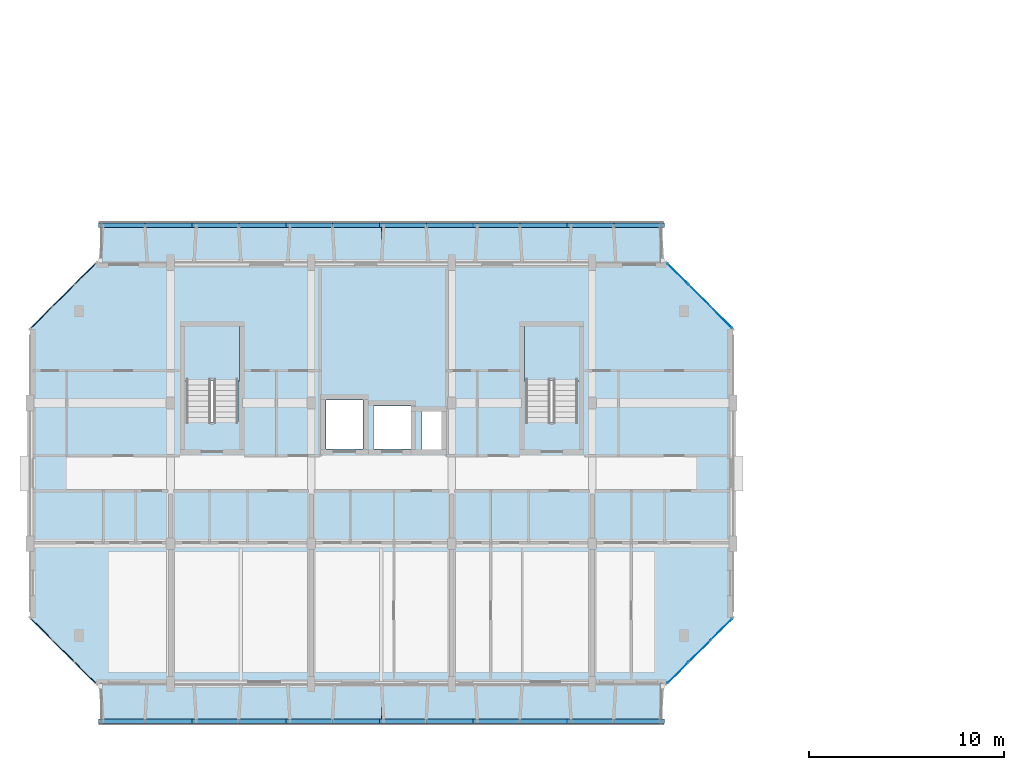
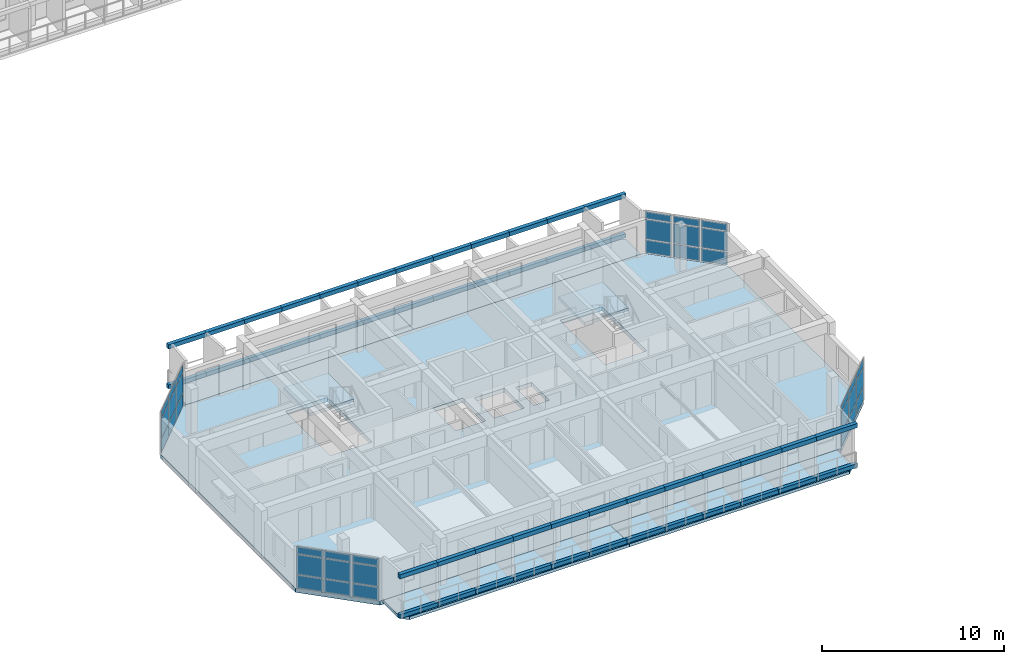
# One storey, part 11 of 45: 84 plates, 7 slabs, 6 elements without a shape of their own.
"""IFC4 building model written with IfcOpenShell, lengths in metres."""

import ifcopenshell
import ifcopenshell.guid

model = None  # the IFC model being written
_history = None  # IfcOwnerHistory: only IFC2X3 demands one
_inside = {}  # id of a spatial element -> (the spatial element, [elements in it])
_under = {}  # id of a project, library or spatial element -> (it, [spatial elements below it])
_declared = {}  # id of a project -> (the project, [libraries it declares])
_typed = {}  # id of a type object -> (the type object, [elements of that type])
_made_of = {}  # id of a material, layer set ... -> (it, [elements and type objects made of it])


def new_model(schema):
    """Start an empty IFC model of exactly this schema.

    Asked for "IFC4X3", IfcOpenShell would pick the latest addendum, in which some entities
    have other attributes; the version numbers below select the first issue.
    IFC2X3 requires an IfcOwnerHistory on every rooted entity: one is made here for all.
    """
    global model, _history
    if schema == "IFC4X3":
        model = ifcopenshell.file(schema_version=(4, 3, 0, 0))
    else:
        model = ifcopenshell.file(schema=schema)
    _inside.clear()
    _under.clear()
    _declared.clear()
    _typed.clear()
    _made_of.clear()
    _history = None
    if model.schema == "IFC2X3":
        org = make("IfcOrganization", Name="unknown")
        user = make(
            "IfcPersonAndOrganization",
            ThePerson=make("IfcPerson", FamilyName="unknown"),
            TheOrganization=org,
        )
        app = make(
            "IfcApplication",
            ApplicationDeveloper=org,
            Version="unknown",
            ApplicationFullName="unknown",
            ApplicationIdentifier="unknown",
        )
        _history = make(
            "IfcOwnerHistory",
            OwningUser=user,
            OwningApplication=app,
            ChangeAction="ADDED",
            CreationDate=0,
        )
    return model


def make(cls, **values):
    """One entity of the class cls with the attributes given. An attribute that is None is left unset."""
    return model.create_entity(
        cls, **{name: value for name, value in values.items() if value is not None}
    )


def rooted(cls, **values):
    """An entity with a GlobalId (a new one), such as an element, a storey or a relation."""
    return make(cls, GlobalId=ifcopenshell.guid.new(), OwnerHistory=_history, **values)


def si_unit(unit_type, name, prefix=None):
    """IfcSIUnit, for example si_unit("LENGTHUNIT", "METRE", prefix="MILLI")."""
    return make("IfcSIUnit", UnitType=unit_type, Prefix=prefix, Name=name)


def assignment(units):
    """IfcUnitAssignment: the units of a project."""
    return None if units is None else make("IfcUnitAssignment", Units=units)


def point(xyz):
    """IfcCartesianPoint."""
    return None if xyz is None else make("IfcCartesianPoint", Coordinates=xyz)


def direction(xyz):
    """IfcDirection."""
    return None if xyz is None else make("IfcDirection", DirectionRatios=xyz)


def frame(location, z_axis=None, x_axis=None):
    """IfcAxis2Placement3D, a coordinate frame: its origin and axes. An axis left out is left unset."""
    return make(
        "IfcAxis2Placement3D",
        Location=point(location),
        Axis=direction(z_axis),
        RefDirection=direction(x_axis),
    )


def frame_2d(location, x_axis=None):
    """IfcAxis2Placement2D, a coordinate frame in the plane: its origin and x axis."""
    return make(
        "IfcAxis2Placement2D", Location=point(location), RefDirection=direction(x_axis)
    )


def origin():
    """The frame at (0, 0, 0) with its axes left unset."""
    return frame((0.0, 0.0, 0.0))


def origin_2d():
    """The frame at (0, 0) in the plane with its x axis left unset."""
    return frame_2d((0.0, 0.0))


def place(relative_to, where):
    """IfcLocalPlacement: puts the frame where relative to a parent placement (None: the world)."""
    return make(
        "IfcLocalPlacement", PlacementRelTo=relative_to, RelativePlacement=where
    )


def context(
    kind, dimensions, precision=None, world=None, true_north=None, identifier=None
):
    """IfcGeometricRepresentationContext, for example the 3D "Model" context."""
    return make(
        "IfcGeometricRepresentationContext",
        ContextIdentifier=identifier,
        ContextType=kind,
        CoordinateSpaceDimension=dimensions,
        Precision=precision,
        WorldCoordinateSystem=world,
        TrueNorth=true_north,
    )


def subcontext(parent, identifier, kind, view, scale=None):
    """IfcGeometricRepresentationSubContext, for example "Body" below "Model"."""
    return make(
        "IfcGeometricRepresentationSubContext",
        ContextIdentifier=identifier,
        ContextType=kind,
        ParentContext=parent,
        TargetScale=scale,
        TargetView=view,
    )


def project(units=None, contexts=None):
    """IfcProject with its units and contexts."""
    return rooted(
        "IfcProject",
        Name="project",
        RepresentationContexts=contexts,
        UnitsInContext=assignment(units),
    )


def spatial(cls, under=None, at=None, **own):
    """A site, building, storey or space (cls), placed at a placement, below another one or the project."""
    s = rooted(cls, ObjectPlacement=at, **own)
    if under is not None:
        _under.setdefault(under.id(), (under, []))[1].append(s)
    return s


def polyline(points):
    """IfcPolyline through the points."""
    return make("IfcPolyline", Points=[point(p) for p in points])


def profile(cls, at=None, kind="AREA", **sizes):
    """A parametric profile (cls). Its sizes go by their IFC names, for example OverallWidth=200.0."""
    return make(cls, ProfileType=kind, Position=at, **sizes)


def rectangle(**sizes):
    """IfcRectangleProfileDef."""
    return profile("IfcRectangleProfileDef", **sizes)


def outline(outer, holes=None, kind="AREA"):
    """IfcArbitraryClosedProfileDef: a profile drawn as a closed curve; with holes, ...WithVoids."""
    if holes is None:
        return make("IfcArbitraryClosedProfileDef", ProfileType=kind, OuterCurve=outer)
    return make(
        "IfcArbitraryProfileDefWithVoids",
        ProfileType=kind,
        OuterCurve=outer,
        InnerCurves=holes,
    )


def extrude(swept, where, along, depth):
    """IfcExtrudedAreaSolid: the profile swept, set in the frame where, extruded along a direction by depth."""
    return make(
        "IfcExtrudedAreaSolid",
        SweptArea=swept,
        Position=where,
        ExtrudedDirection=direction(along),
        Depth=depth,
    )


def shape(context_of_items, identifier, shape_type, items):
    """IfcShapeRepresentation: the items that make up one representation, for example the "Body"."""
    return make(
        "IfcShapeRepresentation",
        ContextOfItems=context_of_items,
        RepresentationIdentifier=identifier,
        RepresentationType=shape_type,
        Items=items,
    )


def material(Name=None, Category=None):
    """IfcMaterial."""
    return make("IfcMaterial", Name=Name, Category=Category)


def layer(
    of_material, thickness, ventilated=None, Name=None, Category=None, Priority=None
):
    """IfcMaterialLayer: one layer of a wall or slab, of a material (None: an air gap)."""
    return make(
        "IfcMaterialLayer",
        Material=of_material,
        LayerThickness=thickness,
        IsVentilated=ventilated,
        Name=Name,
        Category=Category,
        Priority=Priority,
    )


def layer_set(layers, Name=None):
    """IfcMaterialLayerSet."""
    return make("IfcMaterialLayerSet", MaterialLayers=layers, LayerSetName=Name)


def made_of(thing, what):
    """Note that an element or type object is made of a material, layer set ...; save() writes the relation."""
    if what is not None:
        _made_of.setdefault(what.id(), (what, []))[1].append(thing)
    return thing


def type_object(cls, material=None, **own):
    """A type object (cls), such as IfcWallType, which elements share."""
    return made_of(rooted(cls, **own), material)


def element(
    cls,
    number,
    at=None,
    inside=None,
    cuts=None,
    type_object=None,
    material=None,
    context=None,
    identifier="Body",
    shape_type=None,
    held_by="IfcProductDefinitionShape",
    body=None,
    shapes=None,
    **own,
):
    """One element of the class cls, such as IfcWall. Its Tag is "e" and its number.

    at: its placement. inside: the storey or other place that contains it. cuts: it is an
    opening in that element (IfcRelVoidsElement). A single representation is given by context,
    identifier, shape_type and body (its items); several are given by shapes. held_by: the class
    of the entity that holds the representations. save() writes the other relations.
    """
    e = rooted(cls, Tag="e%d" % number, ObjectPlacement=at, **own)
    if body is not None:
        shapes = [shape(context, identifier, shape_type, body)]
    if shapes is not None:
        e.Representation = make(held_by, Representations=shapes)
    if inside is not None:
        _inside.setdefault(inside.id(), (inside, []))[1].append(e)
    if cuts is not None:
        rooted(
            "IfcRelVoidsElement", RelatingBuildingElement=cuts, RelatedOpeningElement=e
        )
    if type_object is not None:
        _typed.setdefault(type_object.id(), (type_object, []))[1].append(e)
    return made_of(e, material)


def aggregate(whole, parts):
    """IfcRelAggregates: a whole, such as a stair, and the parts it consists of."""
    return rooted("IfcRelAggregates", RelatingObject=whole, RelatedObjects=parts)


def save(model, path):
    """Write the relations noted so far, then the file.

    IfcRelAggregates (storeys below a building ...), IfcRelContainedInSpatialStructure (elements
    in a storey), IfcRelDefinesByType, IfcRelAssociatesMaterial and IfcRelDeclares: one each for
    every whole, place, type object, material and project.
    """
    for whole, parts in _under.values():
        aggregate(whole, parts)
    for where, things in _inside.values():
        rooted(
            "IfcRelContainedInSpatialStructure",
            RelatedElements=things,
            RelatingStructure=where,
        )
    for kind, things in _typed.values():
        rooted("IfcRelDefinesByType", RelatedObjects=things, RelatingType=kind)
    for what, things in _made_of.values():
        rooted("IfcRelAssociatesMaterial", RelatedObjects=things, RelatingMaterial=what)
    for by, libraries in _declared.values():
        rooted("IfcRelDeclares", RelatingContext=by, RelatedDefinitions=libraries)
    model.write(path)


model = new_model("IFC4")

# Units and contexts
model_context = context("Model", 3, precision=1e-05, world=origin(), true_north=direction((0.0, 1.0)))
body_context = subcontext(model_context, "Body", "Model", "MODEL_VIEW")
ifc_project = project(units=[si_unit("LENGTHUNIT", "METRE"), si_unit("AREAUNIT", "SQUARE_METRE"), si_unit("VOLUMEUNIT", "CUBIC_METRE"), si_unit("PLANEANGLEUNIT", "RADIAN"), si_unit("MASSUNIT", "GRAM", prefix="KILO")], contexts=[model_context])

# Site, building, storey
site_placement = place(None, origin())
site = spatial("IfcSite", under=ifc_project, at=site_placement, CompositionType="ELEMENT")
building_placement = place(site_placement, origin())
building = spatial("IfcBuilding", under=site, at=building_placement, Name="Ochrevale Crest", CompositionType="ELEMENT")
storey_placement = place(building_placement, frame((0.0, 0.0, 18.14990234375)))
storey = spatial("IfcBuildingStorey", under=building, at=storey_placement, Name="L05", CompositionType="ELEMENT", Elevation=18.14990234375)

# Curtain wall, plates
ifc_material_1 = material(Name="Anodised aluminium 6063-T5", Category="aluminium")
ifc_layer_1 = layer(ifc_material_1, 0.14990234375)
ifc_layer_set_1 = layer_set([ifc_layer_1], Name="Anodised aluminium 6063-T5")
curtain_wall_type_1 = type_object("IfcCurtainWallType", Name="CW-WG-320x285", PredefinedType="NOTDEFINED", material=ifc_layer_set_1)
curtain_wall_1_placement = place(storey_placement, origin())
curtain_wall_1 = element("IfcCurtainWall", 1, at=curtain_wall_1_placement, inside=storey, type_object=curtain_wall_type_1, Name="Block A L05 chamfered corner wintergarden curtain wall 2", PredefinedType="NOTDEFINED")
ifc_material_2 = material(Name="Double-glazed low-E insulated glass unit", Category="glass")
ifc_layer_2 = layer(ifc_material_2, 0.028076171875)
ifc_layer_set_2 = layer_set([ifc_layer_2], Name="Double-glazed low-E insulated glass unit")
plate_type_1 = type_object("IfcPlateType", Name="CW-PNL-IGU28", PredefinedType="CURTAIN_PANEL", material=ifc_layer_set_2)
plate_1_placement = place(storey_placement, frame((33.179931640625, 14.97998046875, 0.06005859375), z_axis=(0.0, 0.0, 1.0), x_axis=(0.707106781187, 0.707106781187, 0.0)))
plate_1 = element("IfcPlate", 2, at=plate_1_placement, type_object=plate_type_1, Name="CW17 panel 1.1", PredefinedType="CURTAIN_PANEL", context=body_context, shape_type="SweptSolid", body=[
    extrude(rectangle(XDim=1.490234375, YDim=0.028076171875, at=origin_2d()), origin(), (0.0, 0.0, 1.0), 0.860107421875),
])
plate_2_placement = place(storey_placement, frame((33.179931640625, 14.97998046875, 0.980224609375), z_axis=(0.0, 0.0, 1.0), x_axis=(0.707106781187, 0.707106781187, 0.0)))
plate_2 = element("IfcPlate", 3, at=plate_2_placement, type_object=plate_type_1, Name="CW17 panel 1.2", PredefinedType="CURTAIN_PANEL", context=body_context, shape_type="SweptSolid", body=[
    extrude(rectangle(XDim=1.490234375, YDim=0.028076171875, at=origin_2d()), origin(), (0.0, 0.0, 1.0), 1.31494140625),
])
plate_3_placement = place(storey_placement, frame((33.179931640625, 14.97998046875, 2.355224609375), z_axis=(0.0, 0.0, 1.0), x_axis=(0.707106781187, 0.707106781187, 0.0)))
plate_3 = element("IfcPlate", 4, at=plate_3_placement, type_object=plate_type_1, Name="CW17 panel 1.3", PredefinedType="CURTAIN_PANEL", context=body_context, shape_type="SweptSolid", body=[
    extrude(rectangle(XDim=1.490234375, YDim=0.028076171875, at=origin_2d()), origin(), (0.0, 0.0, 1.0), 0.4599609375),
])
plate_4_placement = place(storey_placement, frame((34.300048828125, 16.10009765625, 0.06005859375), z_axis=(0.0, 0.0, 1.0), x_axis=(0.707106781187, 0.707106781187, 0.0)))
plate_4 = element("IfcPlate", 5, at=plate_4_placement, type_object=plate_type_1, Name="CW17 panel 2.1", PredefinedType="CURTAIN_PANEL", context=body_context, shape_type="SweptSolid", body=[
    extrude(rectangle(XDim=1.52783203125, YDim=0.028076171875, at=origin_2d()), origin(), (0.0, 0.0, 1.0), 0.860107421875),
])
plate_5_placement = place(storey_placement, frame((34.300048828125, 16.10009765625, 0.980224609375), z_axis=(0.0, 0.0, 1.0), x_axis=(0.707106781187, 0.707106781187, 0.0)))
plate_5 = element("IfcPlate", 6, at=plate_5_placement, type_object=plate_type_1, Name="CW17 panel 2.2", PredefinedType="CURTAIN_PANEL", context=body_context, shape_type="SweptSolid", body=[
    extrude(rectangle(XDim=1.52783203125, YDim=0.028076171875, at=origin_2d()), origin(), (0.0, 0.0, 1.0), 1.31494140625),
])
plate_6_placement = place(storey_placement, frame((34.300048828125, 16.10009765625, 2.355224609375), z_axis=(0.0, 0.0, 1.0), x_axis=(0.707106781187, 0.707106781187, 0.0)))
plate_6 = element("IfcPlate", 7, at=plate_6_placement, type_object=plate_type_1, Name="CW17 panel 2.3", PredefinedType="CURTAIN_PANEL", context=body_context, shape_type="SweptSolid", body=[
    extrude(rectangle(XDim=1.52783203125, YDim=0.028076171875, at=origin_2d()), origin(), (0.0, 0.0, 1.0), 0.4599609375),
])
plate_7_placement = place(storey_placement, frame((35.420166015625, 17.219970703125, 0.06005859375), z_axis=(0.0, 0.0, 1.0), x_axis=(0.707106781187, 0.707106781187, 0.0)))
plate_7 = element("IfcPlate", 8, at=plate_7_placement, type_object=plate_type_1, Name="CW17 panel 3.1", PredefinedType="CURTAIN_PANEL", context=body_context, shape_type="SweptSolid", body=[
    extrude(rectangle(XDim=1.490234375, YDim=0.028076171875, at=origin_2d()), origin(), (0.0, 0.0, 1.0), 0.860107421875),
])
plate_8_placement = place(storey_placement, frame((35.420166015625, 17.219970703125, 0.980224609375), z_axis=(0.0, 0.0, 1.0), x_axis=(0.707106781187, 0.707106781187, 0.0)))
plate_8 = element("IfcPlate", 9, at=plate_8_placement, type_object=plate_type_1, Name="CW17 panel 3.2", PredefinedType="CURTAIN_PANEL", context=body_context, shape_type="SweptSolid", body=[
    extrude(rectangle(XDim=1.490234375, YDim=0.028076171875, at=origin_2d()), origin(), (0.0, 0.0, 1.0), 1.31494140625),
])
plate_9_placement = place(storey_placement, frame((35.420166015625, 17.219970703125, 2.355224609375), z_axis=(0.0, 0.0, 1.0), x_axis=(0.707106781187, 0.707106781187, 0.0)))
plate_9 = element("IfcPlate", 10, at=plate_9_placement, type_object=plate_type_1, Name="CW17 panel 3.3", PredefinedType="CURTAIN_PANEL", context=body_context, shape_type="SweptSolid", body=[
    extrude(rectangle(XDim=1.490234375, YDim=0.028076171875, at=origin_2d()), origin(), (0.0, 0.0, 1.0), 0.4599609375),
])
aggregate(curtain_wall_1, [plate_1, plate_2, plate_3, plate_4, plate_5, plate_6, plate_7, plate_8, plate_9])

ifc_layer_3 = layer(ifc_material_1, 0.14990234375)
ifc_layer_set_3 = layer_set([ifc_layer_3], Name="Anodised aluminium 6063-T5")
curtain_wall_type_2 = type_object("IfcCurtainWallType", Name="CW-WG-420x285", PredefinedType="NOTDEFINED", material=ifc_layer_set_3)
curtain_wall_2_placement = place(storey_placement, origin())
curtain_wall_2 = element("IfcCurtainWall", 11, at=curtain_wall_2_placement, inside=storey, type_object=curtain_wall_type_2, Name="Block A L05 chamfered corner wintergarden curtain wall 4", PredefinedType="NOTDEFINED")
plate_10_placement = place(storey_placement, frame((35.420166015625, 33.179931640625, 0.06005859375), z_axis=(0.0, 0.0, 1.0), x_axis=(-0.707106781187, 0.707106781187, 0.0)))
plate_10 = element("IfcPlate", 12, at=plate_10_placement, type_object=plate_type_1, Name="CW22 panel 1.1", PredefinedType="CURTAIN_PANEL", context=body_context, shape_type="SweptSolid", body=[
    extrude(rectangle(XDim=1.490234375, YDim=0.028076171875, at=origin_2d()), origin(), (0.0, 0.0, 1.0), 0.860107421875),
])
plate_11_placement = place(storey_placement, frame((35.420166015625, 33.179931640625, 0.980224609375), z_axis=(0.0, 0.0, 1.0), x_axis=(-0.707106781187, 0.707106781187, 0.0)))
plate_11 = element("IfcPlate", 13, at=plate_11_placement, type_object=plate_type_1, Name="CW22 panel 1.2", PredefinedType="CURTAIN_PANEL", context=body_context, shape_type="SweptSolid", body=[
    extrude(rectangle(XDim=1.490234375, YDim=0.028076171875, at=origin_2d()), origin(), (0.0, 0.0, 1.0), 1.31494140625),
])
plate_12_placement = place(storey_placement, frame((35.420166015625, 33.179931640625, 2.355224609375), z_axis=(0.0, 0.0, 1.0), x_axis=(-0.707106781187, 0.707106781187, 0.0)))
plate_12 = element("IfcPlate", 14, at=plate_12_placement, type_object=plate_type_1, Name="CW22 panel 1.3", PredefinedType="CURTAIN_PANEL", context=body_context, shape_type="SweptSolid", body=[
    extrude(rectangle(XDim=1.490234375, YDim=0.028076171875, at=origin_2d()), origin(), (0.0, 0.0, 1.0), 0.4599609375),
])
plate_13_placement = place(storey_placement, frame((34.300048828125, 34.300048828125, 0.06005859375), z_axis=(0.0, 0.0, 1.0), x_axis=(-0.707106781187, 0.707106781187, 0.0)))
plate_13 = element("IfcPlate", 15, at=plate_13_placement, type_object=plate_type_1, Name="CW22 panel 2.1", PredefinedType="CURTAIN_PANEL", context=body_context, shape_type="SweptSolid", body=[
    extrude(rectangle(XDim=1.52783203125, YDim=0.028076171875, at=origin_2d()), origin(), (0.0, 0.0, 1.0), 0.860107421875),
])
plate_14_placement = place(storey_placement, frame((34.300048828125, 34.300048828125, 0.980224609375), z_axis=(0.0, 0.0, 1.0), x_axis=(-0.707106781187, 0.707106781187, 0.0)))
plate_14 = element("IfcPlate", 16, at=plate_14_placement, type_object=plate_type_1, Name="CW22 panel 2.2", PredefinedType="CURTAIN_PANEL", context=body_context, shape_type="SweptSolid", body=[
    extrude(rectangle(XDim=1.52783203125, YDim=0.028076171875, at=origin_2d()), origin(), (0.0, 0.0, 1.0), 1.31494140625),
])
plate_15_placement = place(storey_placement, frame((34.300048828125, 34.300048828125, 2.355224609375), z_axis=(0.0, 0.0, 1.0), x_axis=(-0.707106781187, 0.707106781187, 0.0)))
plate_15 = element("IfcPlate", 17, at=plate_15_placement, type_object=plate_type_1, Name="CW22 panel 2.3", PredefinedType="CURTAIN_PANEL", context=body_context, shape_type="SweptSolid", body=[
    extrude(rectangle(XDim=1.52783203125, YDim=0.028076171875, at=origin_2d()), origin(), (0.0, 0.0, 1.0), 0.4599609375),
])
plate_16_placement = place(storey_placement, frame((33.179931640625, 35.420166015625, 0.06005859375), z_axis=(0.0, 0.0, 1.0), x_axis=(-0.707106781187, 0.707106781187, 0.0)))
plate_16 = element("IfcPlate", 18, at=plate_16_placement, type_object=plate_type_1, Name="CW22 panel 3.1", PredefinedType="CURTAIN_PANEL", context=body_context, shape_type="SweptSolid", body=[
    extrude(rectangle(XDim=1.490234375, YDim=0.028076171875, at=origin_2d()), origin(), (0.0, 0.0, 1.0), 0.860107421875),
])
plate_17_placement = place(storey_placement, frame((33.179931640625, 35.420166015625, 0.980224609375), z_axis=(0.0, 0.0, 1.0), x_axis=(-0.707106781187, 0.707106781187, 0.0)))
plate_17 = element("IfcPlate", 19, at=plate_17_placement, type_object=plate_type_1, Name="CW22 panel 3.2", PredefinedType="CURTAIN_PANEL", context=body_context, shape_type="SweptSolid", body=[
    extrude(rectangle(XDim=1.490234375, YDim=0.028076171875, at=origin_2d()), origin(), (0.0, 0.0, 1.0), 1.31494140625),
])
plate_18_placement = place(storey_placement, frame((33.179931640625, 35.420166015625, 2.355224609375), z_axis=(0.0, 0.0, 1.0), x_axis=(-0.707106781187, 0.707106781187, 0.0)))
plate_18 = element("IfcPlate", 20, at=plate_18_placement, type_object=plate_type_1, Name="CW22 panel 3.3", PredefinedType="CURTAIN_PANEL", context=body_context, shape_type="SweptSolid", body=[
    extrude(rectangle(XDim=1.490234375, YDim=0.028076171875, at=origin_2d()), origin(), (0.0, 0.0, 1.0), 0.4599609375),
])
aggregate(curtain_wall_2, [plate_10, plate_11, plate_12, plate_13, plate_14, plate_15, plate_16, plate_17, plate_18])

ifc_layer_4 = layer(ifc_material_1, 0.14990234375)
ifc_layer_set_4 = layer_set([ifc_layer_4], Name="Anodised aluminium 6063-T5")
curtain_wall_type_3 = type_object("IfcCurtainWallType", Name="CW-WG-280x285", PredefinedType="NOTDEFINED", material=ifc_layer_set_4)
curtain_wall_3_placement = place(storey_placement, origin())
curtain_wall_3 = element("IfcCurtainWall", 21, at=curtain_wall_3_placement, inside=storey, type_object=curtain_wall_type_3, Name="Block A L05 chamfered corner wintergarden curtain wall 6", PredefinedType="NOTDEFINED")
ifc_material_3 = material(Name="Acoustic laminated low-E insulated glass unit", Category="glass")
ifc_layer_5 = layer(ifc_material_3, 0.0380859375)
ifc_layer_set_5 = layer_set([ifc_layer_5], Name="Acoustic laminated low-E insulated glass unit")
plate_type_2 = type_object("IfcPlateType", Name="CW-PNL-IGU38", PredefinedType="CURTAIN_PANEL", material=ifc_layer_set_5)
plate_19_placement = place(storey_placement, frame((2.820068359375, 35.420166015625, 0.06005859375), z_axis=(0.0, 0.0, 1.0), x_axis=(-0.707106781187, -0.707106781187, 0.0)))
plate_19 = element("IfcPlate", 22, at=plate_19_placement, type_object=plate_type_2, Name="CW16 panel 1.1", PredefinedType="CURTAIN_PANEL", context=body_context, shape_type="SweptSolid", body=[
    extrude(rectangle(XDim=1.490234375, YDim=0.0380859375, at=origin_2d()), origin(), (0.0, 0.0, 1.0), 0.860107421875),
])
plate_20_placement = place(storey_placement, frame((2.820068359375, 35.420166015625, 0.980224609375), z_axis=(0.0, 0.0, 1.0), x_axis=(-0.707106781187, -0.707106781187, 0.0)))
plate_20 = element("IfcPlate", 23, at=plate_20_placement, type_object=plate_type_2, Name="CW16 panel 1.2", PredefinedType="CURTAIN_PANEL", context=body_context, shape_type="SweptSolid", body=[
    extrude(rectangle(XDim=1.490234375, YDim=0.0380859375, at=origin_2d()), origin(), (0.0, 0.0, 1.0), 1.31494140625),
])
plate_21_placement = place(storey_placement, frame((2.820068359375, 35.420166015625, 2.355224609375), z_axis=(0.0, 0.0, 1.0), x_axis=(-0.707106781187, -0.707106781187, 0.0)))
plate_21 = element("IfcPlate", 24, at=plate_21_placement, type_object=plate_type_2, Name="CW16 panel 1.3", PredefinedType="CURTAIN_PANEL", context=body_context, shape_type="SweptSolid", body=[
    extrude(rectangle(XDim=1.490234375, YDim=0.0380859375, at=origin_2d()), origin(), (0.0, 0.0, 1.0), 0.4599609375),
])
plate_22_placement = place(storey_placement, frame((1.699951171875, 34.300048828125, 0.06005859375), z_axis=(0.0, 0.0, 1.0), x_axis=(-0.707106781187, -0.707106781187, 0.0)))
plate_22 = element("IfcPlate", 25, at=plate_22_placement, type_object=plate_type_2, Name="CW16 panel 2.1", PredefinedType="CURTAIN_PANEL", context=body_context, shape_type="SweptSolid", body=[
    extrude(rectangle(XDim=1.52783203125, YDim=0.0380859375, at=origin_2d()), origin(), (0.0, 0.0, 1.0), 0.860107421875),
])
plate_23_placement = place(storey_placement, frame((1.699951171875, 34.300048828125, 0.980224609375), z_axis=(0.0, 0.0, 1.0), x_axis=(-0.707106781187, -0.707106781187, 0.0)))
plate_23 = element("IfcPlate", 26, at=plate_23_placement, type_object=plate_type_2, Name="CW16 panel 2.2", PredefinedType="CURTAIN_PANEL", context=body_context, shape_type="SweptSolid", body=[
    extrude(rectangle(XDim=1.52783203125, YDim=0.0380859375, at=origin_2d()), origin(), (0.0, 0.0, 1.0), 1.31494140625),
])
plate_24_placement = place(storey_placement, frame((1.699951171875, 34.300048828125, 2.355224609375), z_axis=(0.0, 0.0, 1.0), x_axis=(-0.707106781187, -0.707106781187, 0.0)))
plate_24 = element("IfcPlate", 27, at=plate_24_placement, type_object=plate_type_2, Name="CW16 panel 2.3", PredefinedType="CURTAIN_PANEL", context=body_context, shape_type="SweptSolid", body=[
    extrude(rectangle(XDim=1.52783203125, YDim=0.0380859375, at=origin_2d()), origin(), (0.0, 0.0, 1.0), 0.4599609375),
])
plate_25_placement = place(storey_placement, frame((0.579833984375, 33.179931640625, 0.06005859375), z_axis=(0.0, 0.0, 1.0), x_axis=(-0.707106781187, -0.707106781187, 0.0)))
plate_25 = element("IfcPlate", 28, at=plate_25_placement, type_object=plate_type_2, Name="CW16 panel 3.1", PredefinedType="CURTAIN_PANEL", context=body_context, shape_type="SweptSolid", body=[
    extrude(rectangle(XDim=1.490234375, YDim=0.0380859375, at=origin_2d()), origin(), (0.0, 0.0, 1.0), 0.860107421875),
])
plate_26_placement = place(storey_placement, frame((0.579833984375, 33.179931640625, 0.980224609375), z_axis=(0.0, 0.0, 1.0), x_axis=(-0.707106781187, -0.707106781187, 0.0)))
plate_26 = element("IfcPlate", 29, at=plate_26_placement, type_object=plate_type_2, Name="CW16 panel 3.2", PredefinedType="CURTAIN_PANEL", context=body_context, shape_type="SweptSolid", body=[
    extrude(rectangle(XDim=1.490234375, YDim=0.0380859375, at=origin_2d()), origin(), (0.0, 0.0, 1.0), 1.31494140625),
])
plate_27_placement = place(storey_placement, frame((0.579833984375, 33.179931640625, 2.355224609375), z_axis=(0.0, 0.0, 1.0), x_axis=(-0.707106781187, -0.707106781187, 0.0)))
plate_27 = element("IfcPlate", 30, at=plate_27_placement, type_object=plate_type_2, Name="CW16 panel 3.3", PredefinedType="CURTAIN_PANEL", context=body_context, shape_type="SweptSolid", body=[
    extrude(rectangle(XDim=1.490234375, YDim=0.0380859375, at=origin_2d()), origin(), (0.0, 0.0, 1.0), 0.4599609375),
])
aggregate(curtain_wall_3, [plate_19, plate_20, plate_21, plate_22, plate_23, plate_24, plate_25, plate_26, plate_27])

ifc_layer_6 = layer(ifc_material_1, 0.14990234375)
ifc_layer_set_6 = layer_set([ifc_layer_6], Name="Anodised aluminium 6063-T5")
curtain_wall_type_4 = type_object("IfcCurtainWallType", Name="CW-WG-360x285", PredefinedType="NOTDEFINED", material=ifc_layer_set_6)
curtain_wall_4_placement = place(storey_placement, origin())
curtain_wall_4 = element("IfcCurtainWall", 31, at=curtain_wall_4_placement, inside=storey, type_object=curtain_wall_type_4, Name="Block A L05 chamfered corner wintergarden curtain wall 8", PredefinedType="NOTDEFINED")
plate_28_placement = place(storey_placement, frame((0.579833984375, 17.219970703125, 0.06005859375), z_axis=(0.0, 0.0, 1.0), x_axis=(0.707106781187, -0.707106781187, 0.0)))
plate_28 = element("IfcPlate", 32, at=plate_28_placement, type_object=plate_type_2, Name="CW18 panel 1.1", PredefinedType="CURTAIN_PANEL", context=body_context, shape_type="SweptSolid", body=[
    extrude(rectangle(XDim=1.490234375, YDim=0.0380859375, at=origin_2d()), origin(), (0.0, 0.0, 1.0), 0.860107421875),
])
plate_29_placement = place(storey_placement, frame((0.579833984375, 17.219970703125, 0.980224609375), z_axis=(0.0, 0.0, 1.0), x_axis=(0.707106781187, -0.707106781187, 0.0)))
plate_29 = element("IfcPlate", 33, at=plate_29_placement, type_object=plate_type_2, Name="CW18 panel 1.2", PredefinedType="CURTAIN_PANEL", context=body_context, shape_type="SweptSolid", body=[
    extrude(rectangle(XDim=1.490234375, YDim=0.0380859375, at=origin_2d()), origin(), (0.0, 0.0, 1.0), 1.31494140625),
])
plate_30_placement = place(storey_placement, frame((0.579833984375, 17.219970703125, 2.355224609375), z_axis=(0.0, 0.0, 1.0), x_axis=(0.707106781187, -0.707106781187, 0.0)))
plate_30 = element("IfcPlate", 34, at=plate_30_placement, type_object=plate_type_2, Name="CW18 panel 1.3", PredefinedType="CURTAIN_PANEL", context=body_context, shape_type="SweptSolid", body=[
    extrude(rectangle(XDim=1.490234375, YDim=0.0380859375, at=origin_2d()), origin(), (0.0, 0.0, 1.0), 0.4599609375),
])
plate_31_placement = place(storey_placement, frame((1.699951171875, 16.10009765625, 0.06005859375), z_axis=(0.0, 0.0, 1.0), x_axis=(0.707106781187, -0.707106781187, 0.0)))
plate_31 = element("IfcPlate", 35, at=plate_31_placement, type_object=plate_type_2, Name="CW18 panel 2.1", PredefinedType="CURTAIN_PANEL", context=body_context, shape_type="SweptSolid", body=[
    extrude(rectangle(XDim=1.52783203125, YDim=0.0380859375, at=origin_2d()), origin(), (0.0, 0.0, 1.0), 0.860107421875),
])
plate_32_placement = place(storey_placement, frame((1.699951171875, 16.10009765625, 0.980224609375), z_axis=(0.0, 0.0, 1.0), x_axis=(0.707106781187, -0.707106781187, 0.0)))
plate_32 = element("IfcPlate", 36, at=plate_32_placement, type_object=plate_type_2, Name="CW18 panel 2.2", PredefinedType="CURTAIN_PANEL", context=body_context, shape_type="SweptSolid", body=[
    extrude(rectangle(XDim=1.52783203125, YDim=0.0380859375, at=origin_2d()), origin(), (0.0, 0.0, 1.0), 1.31494140625),
])
plate_33_placement = place(storey_placement, frame((1.699951171875, 16.10009765625, 2.355224609375), z_axis=(0.0, 0.0, 1.0), x_axis=(0.707106781187, -0.707106781187, 0.0)))
plate_33 = element("IfcPlate", 37, at=plate_33_placement, type_object=plate_type_2, Name="CW18 panel 2.3", PredefinedType="CURTAIN_PANEL", context=body_context, shape_type="SweptSolid", body=[
    extrude(rectangle(XDim=1.52783203125, YDim=0.0380859375, at=origin_2d()), origin(), (0.0, 0.0, 1.0), 0.4599609375),
])
plate_34_placement = place(storey_placement, frame((2.820068359375, 14.97998046875, 0.06005859375), z_axis=(0.0, 0.0, 1.0), x_axis=(0.707106781187, -0.707106781187, 0.0)))
plate_34 = element("IfcPlate", 38, at=plate_34_placement, type_object=plate_type_2, Name="CW18 panel 3.1", PredefinedType="CURTAIN_PANEL", context=body_context, shape_type="SweptSolid", body=[
    extrude(rectangle(XDim=1.490234375, YDim=0.0380859375, at=origin_2d()), origin(), (0.0, 0.0, 1.0), 0.860107421875),
])
plate_35_placement = place(storey_placement, frame((2.820068359375, 14.97998046875, 0.980224609375), z_axis=(0.0, 0.0, 1.0), x_axis=(0.707106781187, -0.707106781187, 0.0)))
plate_35 = element("IfcPlate", 39, at=plate_35_placement, type_object=plate_type_2, Name="CW18 panel 3.2", PredefinedType="CURTAIN_PANEL", context=body_context, shape_type="SweptSolid", body=[
    extrude(rectangle(XDim=1.490234375, YDim=0.0380859375, at=origin_2d()), origin(), (0.0, 0.0, 1.0), 1.31494140625),
])
plate_36_placement = place(storey_placement, frame((2.820068359375, 14.97998046875, 2.355224609375), z_axis=(0.0, 0.0, 1.0), x_axis=(0.707106781187, -0.707106781187, 0.0)))
plate_36 = element("IfcPlate", 40, at=plate_36_placement, type_object=plate_type_2, Name="CW18 panel 3.3", PredefinedType="CURTAIN_PANEL", context=body_context, shape_type="SweptSolid", body=[
    extrude(rectangle(XDim=1.490234375, YDim=0.0380859375, at=origin_2d()), origin(), (0.0, 0.0, 1.0), 0.4599609375),
])
aggregate(curtain_wall_4, [plate_28, plate_29, plate_30, plate_31, plate_32, plate_33, plate_34, plate_35, plate_36])

# Plates
ifc_material_4 = material(Name="Precast concrete C40/50", Category="concrete")
ifc_layer_7 = layer(ifc_material_4, 0.06005859375)
ifc_layer_set_7 = layer_set([ifc_layer_7], Name="Precast concrete C40/50")
plate_type_3 = type_object("IfcPlateType", Name="PLT-HC-HEAD-60", PredefinedType="USERDEFINED", material=ifc_layer_set_7)
for number, where, z_axis, x_axis, name in (
    (41, (4.800048828125, 12.5, 2.669921875), (0.0, 0.0, 1.0), (1.0, 0.0, 0.0), "Block A L05 S honeycomb arched lintel fascia 1"),
    (42, (7.199951171875, 12.5, 2.669921875), (0.0, 0.0, 1.0), (1.0, 0.0, 0.0), "Block A L05 S honeycomb arched lintel fascia 2"),
    (43, (9.60009765625, 12.5, 2.669921875), (0.0, 0.0, 1.0), (1.0, 0.0, 0.0), "Block A L05 S honeycomb arched lintel fascia 3"),
    (44, (12.0, 12.5, 2.669921875), (0.0, 0.0, 1.0), (1.0, 0.0, 0.0), "Block A L05 S honeycomb arched lintel fascia 4"),
    (45, (14.39990234375, 12.5, 2.669921875), (0.0, 0.0, 1.0), (1.0, 0.0, 0.0), "Block A L05 S honeycomb arched lintel fascia 5"),
    (46, (16.800048828125, 12.5, 2.669921875), (0.0, 0.0, 1.0), (1.0, 0.0, 0.0), "Block A L05 S honeycomb arched lintel fascia 6"),
    (47, (19.199951171875, 12.5, 2.669921875), (0.0, 0.0, 1.0), (1.0, 0.0, 0.0), "Block A L05 S honeycomb arched lintel fascia 7"),
    (48, (21.60009765625, 12.5, 2.669921875), (0.0, 0.0, 1.0), (1.0, 0.0, 0.0), "Block A L05 S honeycomb arched lintel fascia 8"),
    (49, (24.0, 12.5, 2.669921875), (0.0, 0.0, 1.0), (1.0, 0.0, 0.0), "Block A L05 S honeycomb arched lintel fascia 9"),
    (50, (26.39990234375, 12.5, 2.669921875), (0.0, 0.0, 1.0), (1.0, 0.0, 0.0), "Block A L05 S honeycomb arched lintel fascia 10"),
    (51, (28.800048828125, 12.5, 2.669921875), (0.0, 0.0, 1.0), (1.0, 0.0, 0.0), "Block A L05 S honeycomb arched lintel fascia 11"),
    (52, (31.199951171875, 12.5, 2.669921875), (0.0, 0.0, 1.0), (1.0, 0.0, 0.0), "Block A L05 S honeycomb arched lintel fascia 12"),
    (53, (4.800048828125, 37.89990234375, 2.669921875), (0.0, 0.0, 1.0), (1.0, 0.0, 0.0), "Block A L05 N honeycomb arched lintel fascia 1"),
    (54, (7.199951171875, 37.89990234375, 2.669921875), (0.0, 0.0, 1.0), (1.0, 0.0, 0.0), "Block A L05 N honeycomb arched lintel fascia 2"),
    (55, (9.60009765625, 37.89990234375, 2.669921875), (0.0, 0.0, 1.0), (1.0, 0.0, 0.0), "Block A L05 N honeycomb arched lintel fascia 3"),
    (56, (12.0, 37.89990234375, 2.669921875), (0.0, 0.0, 1.0), (1.0, 0.0, 0.0), "Block A L05 N honeycomb arched lintel fascia 4"),
    (57, (14.39990234375, 37.89990234375, 2.669921875), (0.0, 0.0, 1.0), (1.0, 0.0, 0.0), "Block A L05 N honeycomb arched lintel fascia 5"),
    (58, (16.800048828125, 37.89990234375, 2.669921875), (0.0, 0.0, 1.0), (1.0, 0.0, 0.0), "Block A L05 N honeycomb arched lintel fascia 6"),
    (59, (19.199951171875, 37.89990234375, 2.669921875), (0.0, 0.0, 1.0), (1.0, 0.0, 0.0), "Block A L05 N honeycomb arched lintel fascia 7"),
    (60, (21.60009765625, 37.89990234375, 2.669921875), (0.0, 0.0, 1.0), (1.0, 0.0, 0.0), "Block A L05 N honeycomb arched lintel fascia 8"),
    (61, (24.0, 37.89990234375, 2.669921875), (0.0, 0.0, 1.0), (1.0, 0.0, 0.0), "Block A L05 N honeycomb arched lintel fascia 9"),
    (62, (26.39990234375, 37.89990234375, 2.669921875), (0.0, 0.0, 1.0), (1.0, 0.0, 0.0), "Block A L05 N honeycomb arched lintel fascia 10"),
    (63, (28.800048828125, 37.89990234375, 2.669921875), (0.0, 0.0, 1.0), (1.0, 0.0, 0.0), "Block A L05 N honeycomb arched lintel fascia 11"),
    (64, (31.199951171875, 37.89990234375, 2.669921875), (0.0, 0.0, 1.0), (1.0, 0.0, 0.0), "Block A L05 N honeycomb arched lintel fascia 12"),
):
    element("IfcPlate", number, at=place(storey_placement, frame(where, z_axis=z_axis, x_axis=x_axis)), inside=storey, type_object=plate_type_3, Name=name, ObjectType="FACADE FASCIA PLATE", PredefinedType="USERDEFINED", context=body_context, shape_type="SweptSolid", body=[
        extrude(rectangle(XDim=2.60009765625, YDim=0.239990234375, at=origin_2d()), origin(), (0.0, 0.0, 1.0), 0.280029296875),
    ])
ifc_layer_8 = layer(ifc_material_4, 0.044921875)
ifc_layer_set_8 = layer_set([ifc_layer_8], Name="Precast concrete C40/50")
plate_type_4 = type_object("IfcPlateType", Name="PLT-HC-SILL-45", PredefinedType="USERDEFINED", material=ifc_layer_set_8)
for number, where, z_axis, x_axis, name in (
    (65, (4.800048828125, 12.5, 0.0), (0.0, 0.0, 1.0), (1.0, 0.0, 0.0), "Block A L05 S honeycomb sill coping plate 1"),
    (66, (7.199951171875, 12.5, 0.0), (0.0, 0.0, 1.0), (1.0, 0.0, 0.0), "Block A L05 S honeycomb sill coping plate 2"),
    (67, (9.60009765625, 12.5, 0.0), (0.0, 0.0, 1.0), (1.0, 0.0, 0.0), "Block A L05 S honeycomb sill coping plate 3"),
    (68, (12.0, 12.5, 0.0), (0.0, 0.0, 1.0), (1.0, 0.0, 0.0), "Block A L05 S honeycomb sill coping plate 4"),
    (69, (14.39990234375, 12.5, 0.0), (0.0, 0.0, 1.0), (1.0, 0.0, 0.0), "Block A L05 S honeycomb sill coping plate 5"),
    (70, (16.800048828125, 12.5, 0.0), (0.0, 0.0, 1.0), (1.0, 0.0, 0.0), "Block A L05 S honeycomb sill coping plate 6"),
    (71, (19.199951171875, 12.5, 0.0), (0.0, 0.0, 1.0), (1.0, 0.0, 0.0), "Block A L05 S honeycomb sill coping plate 7"),
    (72, (21.60009765625, 12.5, 0.0), (0.0, 0.0, 1.0), (1.0, 0.0, 0.0), "Block A L05 S honeycomb sill coping plate 8"),
    (73, (24.0, 12.5, 0.0), (0.0, 0.0, 1.0), (1.0, 0.0, 0.0), "Block A L05 S honeycomb sill coping plate 9"),
    (74, (26.39990234375, 12.5, 0.0), (0.0, 0.0, 1.0), (1.0, 0.0, 0.0), "Block A L05 S honeycomb sill coping plate 10"),
    (75, (28.800048828125, 12.5, 0.0), (0.0, 0.0, 1.0), (1.0, 0.0, 0.0), "Block A L05 S honeycomb sill coping plate 11"),
    (76, (31.199951171875, 12.5, 0.0), (0.0, 0.0, 1.0), (1.0, 0.0, 0.0), "Block A L05 S honeycomb sill coping plate 12"),
    (77, (4.800048828125, 37.89990234375, 0.0), (0.0, 0.0, 1.0), (1.0, 0.0, 0.0), "Block A L05 N honeycomb sill coping plate 1"),
    (78, (7.199951171875, 37.89990234375, 0.0), (0.0, 0.0, 1.0), (1.0, 0.0, 0.0), "Block A L05 N honeycomb sill coping plate 2"),
    (79, (9.60009765625, 37.89990234375, 0.0), (0.0, 0.0, 1.0), (1.0, 0.0, 0.0), "Block A L05 N honeycomb sill coping plate 3"),
    (80, (12.0, 37.89990234375, 0.0), (0.0, 0.0, 1.0), (1.0, 0.0, 0.0), "Block A L05 N honeycomb sill coping plate 4"),
    (81, (14.39990234375, 37.89990234375, 0.0), (0.0, 0.0, 1.0), (1.0, 0.0, 0.0), "Block A L05 N honeycomb sill coping plate 5"),
    (82, (16.800048828125, 37.89990234375, 0.0), (0.0, 0.0, 1.0), (1.0, 0.0, 0.0), "Block A L05 N honeycomb sill coping plate 6"),
    (83, (19.199951171875, 37.89990234375, 0.0), (0.0, 0.0, 1.0), (1.0, 0.0, 0.0), "Block A L05 N honeycomb sill coping plate 7"),
    (84, (21.60009765625, 37.89990234375, 0.0), (0.0, 0.0, 1.0), (1.0, 0.0, 0.0), "Block A L05 N honeycomb sill coping plate 8"),
    (85, (24.0, 37.89990234375, 0.0), (0.0, 0.0, 1.0), (1.0, 0.0, 0.0), "Block A L05 N honeycomb sill coping plate 9"),
    (86, (26.39990234375, 37.89990234375, 0.0), (0.0, 0.0, 1.0), (1.0, 0.0, 0.0), "Block A L05 N honeycomb sill coping plate 10"),
    (87, (28.800048828125, 37.89990234375, 0.0), (0.0, 0.0, 1.0), (1.0, 0.0, 0.0), "Block A L05 N honeycomb sill coping plate 11"),
    (88, (31.199951171875, 37.89990234375, 0.0), (0.0, 0.0, 1.0), (1.0, 0.0, 0.0), "Block A L05 N honeycomb sill coping plate 12"),
):
    element("IfcPlate", number, at=place(storey_placement, frame(where, z_axis=z_axis, x_axis=x_axis)), inside=storey, type_object=plate_type_4, Name=name, ObjectType="SILL COPING PLATE", PredefinedType="USERDEFINED", context=body_context, shape_type="SweptSolid", body=[
        extrude(rectangle(XDim=2.60009765625, YDim=0.219970703125, at=origin_2d()), origin(), (0.0, 0.0, 1.0), 0.260009765625),
    ])

# Slabs
ifc_layer_9 = layer(ifc_material_4, 0.199951171875)
ifc_layer_set_9 = layer_set([ifc_layer_9], Name="Precast concrete C40/50")
slab_type_1 = type_object("IfcSlabType", Name="SLB-BAL-200", PredefinedType="FLOOR", material=ifc_layer_set_9)
slab_1_placement = place(storey_placement, frame((0.0, 0.0, -0.199951171875)))
element("IfcSlab", 89, at=slab_1_placement, inside=storey, type_object=slab_type_1, Name="Block A L05 S1 precast loggia balcony slab", PredefinedType="FLOOR", context=body_context, shape_type="SweptSolid", body=[
    extrude(outline(polyline([(4.050048828125, 12.300048828125), (18.0, 12.300048828125), (18.0, 14.39990234375), (3.60009765625, 14.39990234375), (3.60009765625, 12.75), (4.050048828125, 12.300048828125)])), origin(), (0.0, 0.0, 1.0), 0.199951171875),
])
slab_2_placement = place(storey_placement, frame((0.0, 0.0, -0.199951171875)))
element("IfcSlab", 90, at=slab_2_placement, inside=storey, type_object=slab_type_1, Name="Block A L05 S2 precast loggia balcony slab", PredefinedType="FLOOR", context=body_context, shape_type="SweptSolid", body=[
    extrude(outline(polyline([(18.0, 12.300048828125), (31.949951171875, 12.300048828125), (32.39990234375, 12.75), (32.39990234375, 14.39990234375), (18.0, 14.39990234375), (18.0, 12.300048828125)])), origin(), (0.0, 0.0, 1.0), 0.199951171875),
])
slab_3_placement = place(storey_placement, frame((0.0, 0.0, -0.199951171875)))
element("IfcSlab", 91, at=slab_3_placement, inside=storey, type_object=slab_type_1, Name="Block A L05 N1 precast loggia balcony slab", PredefinedType="FLOOR", context=body_context, shape_type="SweptSolid", body=[
    extrude(outline(polyline([(3.60009765625, 36.0), (18.0, 36.0), (18.0, 38.10009765625), (4.050048828125, 38.10009765625), (3.60009765625, 37.64990234375), (3.60009765625, 36.0)])), origin(), (0.0, 0.0, 1.0), 0.199951171875),
])
slab_4_placement = place(storey_placement, frame((0.0, 0.0, -0.199951171875)))
element("IfcSlab", 92, at=slab_4_placement, inside=storey, type_object=slab_type_1, Name="Block A L05 N2 precast loggia balcony slab", PredefinedType="FLOOR", context=body_context, shape_type="SweptSolid", body=[
    extrude(outline(polyline([(18.0, 36.0), (32.39990234375, 36.0), (32.39990234375, 37.64990234375), (31.949951171875, 38.10009765625), (18.0, 38.10009765625), (18.0, 36.0)])), origin(), (0.0, 0.0, 1.0), 0.199951171875),
])
ifc_layer_10 = layer(ifc_material_4, 0.27490234375)
ifc_layer_set_10 = layer_set([ifc_layer_10], Name="Precast concrete C40/50")
slab_type_2 = type_object("IfcSlabType", Name="SLB-RES-275", PredefinedType="FLOOR", material=ifc_layer_set_10)
slab_5_placement = place(storey_placement, frame((0.0, 0.0, -0.27490234375)))
element("IfcSlab", 93, at=slab_5_placement, inside=storey, type_object=slab_type_2, Name="Block A L05 composite hollowcore floor slab", PredefinedType="FLOOR", context=body_context, shape_type="SweptSolid", body=[
    extrude(outline(polyline([(3.39990234375, 14.39990234375), (32.60009765625, 14.39990234375), (36.0, 17.800048828125), (36.0, 32.60009765625), (32.60009765625, 36.0), (3.39990234375, 36.0), (0.0, 32.60009765625), (0.0, 17.800048828125), (3.39990234375, 14.39990234375)]), holes=[polyline([(10.64990234375, 27.824951171875), (10.64990234375, 32.72509765625), (8.0, 32.72509765625), (8.0, 27.824951171875), (10.64990234375, 27.824951171875)]), polyline([(28.050048828125, 27.824951171875), (28.050048828125, 32.72509765625), (25.39990234375, 32.72509765625), (25.39990234375, 27.824951171875), (28.050048828125, 27.824951171875)]), polyline([(15.14990234375, 26.449951171875), (17.050048828125, 26.449951171875), (17.050048828125, 28.949951171875), (15.14990234375, 28.949951171875), (15.14990234375, 26.449951171875)]), polyline([(17.60009765625, 26.449951171875), (19.5, 26.449951171875), (19.5, 28.64990234375), (17.60009765625, 28.64990234375), (17.60009765625, 26.449951171875)]), polyline([(20.070068359375, 26.419921875), (21.080078125, 26.419921875), (21.080078125, 28.3798828125), (20.070068359375, 28.3798828125), (20.070068359375, 26.419921875)])]), origin(), (0.0, 0.0, 1.0), 0.27490234375),
])

# Stair, slab
stair_type = type_object("IfcStairType", Name="ST-CORE-DOG", PredefinedType="HALF_TURN_STAIR", material=ifc_material_4)
stair_1_placement = place(storey_placement, origin())
stair_1 = element("IfcStair", 94, at=stair_1_placement, inside=storey, type_object=stair_type, Name="L05 Block A Fire Stair 1", PredefinedType="HALF_TURN_STAIR")
ifc_layer_11 = layer(ifc_material_4, 0.199951171875)
ifc_layer_set_11 = layer_set([ifc_layer_11], Name="Precast concrete C40/50")
slab_type_3 = type_object("IfcSlabType", Name="SLB-ST-LAND", PredefinedType="LANDING", material=ifc_layer_set_11)
slab_6_placement = place(storey_placement, frame((0.0, 0.0, 1.375)))
slab_6 = element("IfcSlab", 95, at=slab_6_placement, type_object=slab_type_3, Name="ST-A1 landing 1", PredefinedType="LANDING", context=body_context, shape_type="SweptSolid", body=[
    extrude(outline(polyline([(10.72998046875, 29.93505859375), (10.72998046875, 32.804931640625), (7.919921875, 32.804931640625), (7.919921875, 29.93505859375), (10.72998046875, 29.93505859375)])), origin(), (0.0, 0.0, 1.0), 0.2001953125),
])
aggregate(stair_1, [slab_6])

stair_2_placement = place(storey_placement, origin())
stair_2 = element("IfcStair", 96, at=stair_2_placement, inside=storey, type_object=stair_type, Name="L05 Block A Fire Stair 2", PredefinedType="HALF_TURN_STAIR")
slab_7_placement = place(storey_placement, frame((0.0, 0.0, 1.375)))
slab_7 = element("IfcSlab", 97, at=slab_7_placement, type_object=slab_type_3, Name="ST-A2 landing 1", PredefinedType="LANDING", context=body_context, shape_type="SweptSolid", body=[
    extrude(outline(polyline([(28.1298828125, 29.93505859375), (28.1298828125, 32.804931640625), (25.320068359375, 32.804931640625), (25.320068359375, 29.93505859375), (28.1298828125, 29.93505859375)])), origin(), (0.0, 0.0, 1.0), 0.2001953125),
])
aggregate(stair_2, [slab_7])

save(model, "model.ifc")
